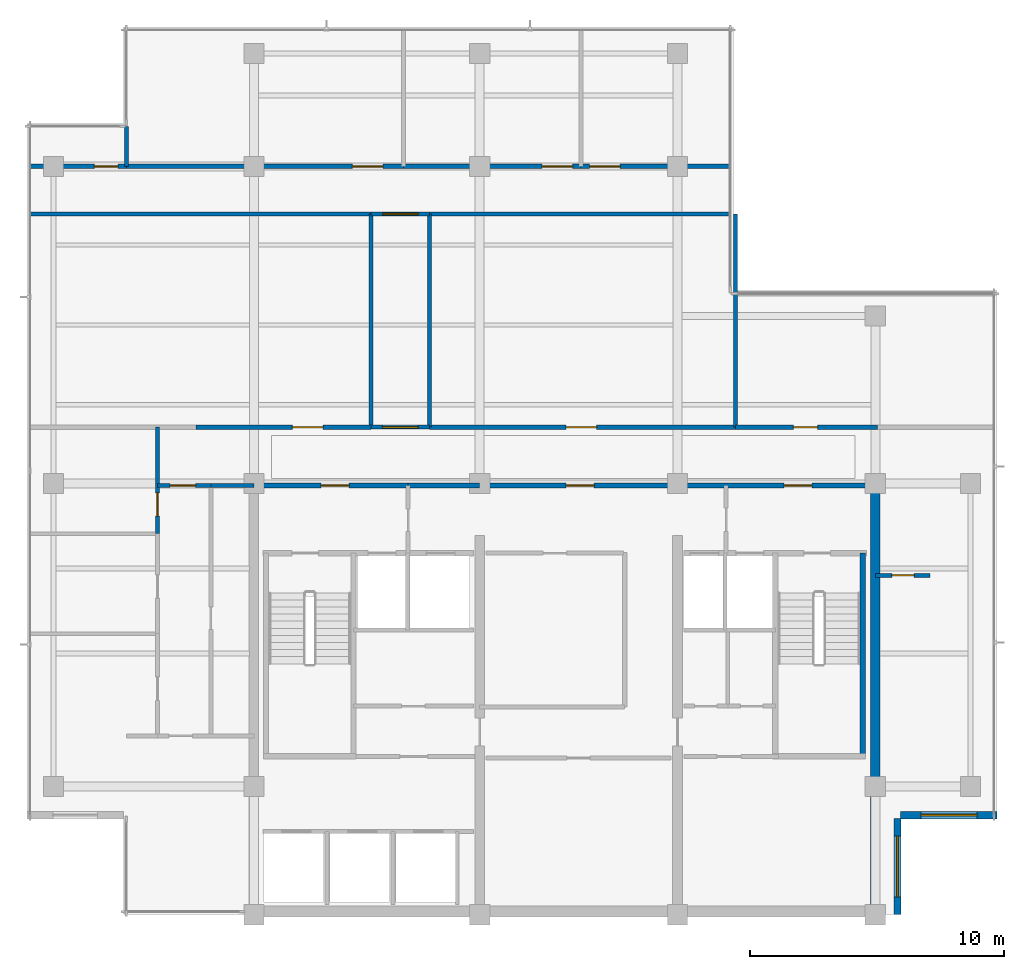
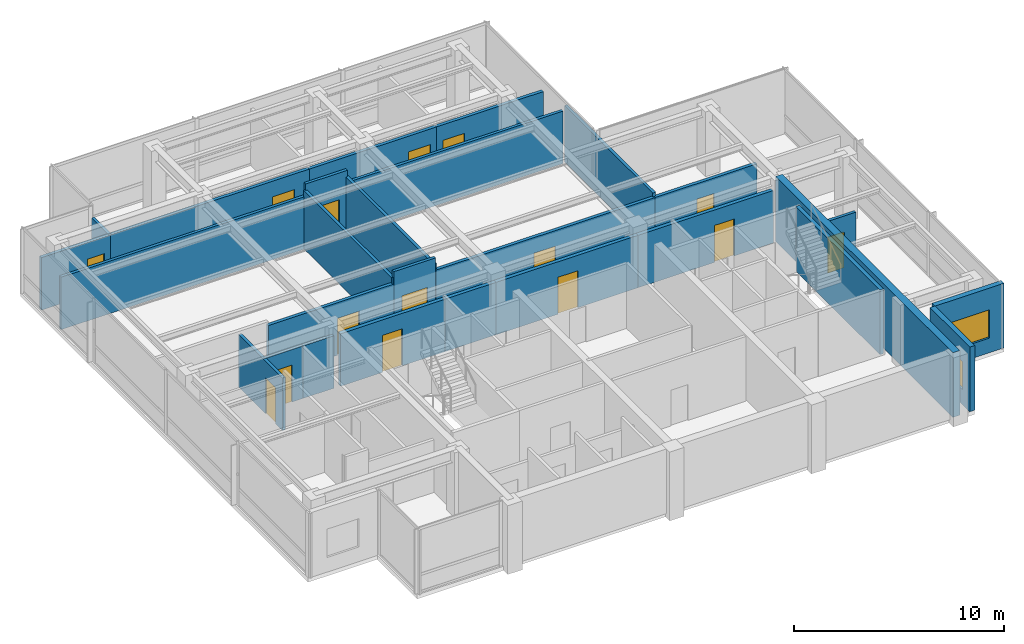
# One storey, part 7 of 11: 27 walls, 15 doors, 2 windows, 17 openings.
"""IFC4 building model written with IfcOpenShell, lengths in metres."""

from ifc_helpers import new_model, si_unit, direction, frame, frame_2d, origin, place, context, subcontext, project, spatial, rectangle, extrude, material, layer, layer_set, type_object, element, fill, save


model = new_model("IFC4")

# Units and contexts
model_context = context("Model", 3, precision=1e-05, world=origin(), true_north=direction((0.0, 1.0)))
body_context = subcontext(model_context, "Body", "Model", "MODEL_VIEW")
ifc_project = project(units=[si_unit("LENGTHUNIT", "METRE"), si_unit("AREAUNIT", "SQUARE_METRE"), si_unit("VOLUMEUNIT", "CUBIC_METRE"), si_unit("PLANEANGLEUNIT", "RADIAN"), si_unit("MASSUNIT", "GRAM", prefix="KILO")], contexts=[model_context])

# Site, building, storey
site_placement = place(None, origin())
site = spatial("IfcSite", under=ifc_project, at=site_placement, CompositionType="ELEMENT")
building_placement = place(site_placement, origin())
building = spatial("IfcBuilding", under=site, at=building_placement, Name="Qalmaran Belvedere Hotel", CompositionType="ELEMENT")
storey_placement = place(building_placement, frame((0.0, 0.0, 289.89990234375)))
storey = spatial("IfcBuildingStorey", under=building, at=storey_placement, Name="L75", CompositionType="ELEMENT", Elevation=289.89990234375)

# Wall
ifc_material_1 = material(Name="Concrete C50/60", Category="concrete")
ifc_layer_1 = layer(ifc_material_1, 0.3798828125, Name="Concrete C50/60")
ifc_layer_set_1 = layer_set([ifc_layer_1], Name="Concrete C50/60")
wall_type_1 = type_object("IfcWallType", Name="WL-CORE-380-C50", PredefinedType="SHEAR", material=ifc_layer_set_1)
wall_1_placement = place(storey_placement, frame((44.800048828125, 3.5, 0.0), z_axis=(0.0, 0.0, 1.0), x_axis=(0.0, 1.0, 0.0)))
element("IfcWall", 1, at=wall_1_placement, inside=storey, type_object=wall_type_1, Name="L75 East Core Shear Wall", PredefinedType="SHEAR", context=body_context, shape_type="SweptSolid", body=[
    extrude(rectangle(XDim=16.89990234375, YDim=0.3798828125, at=frame_2d((8.449951171875, 0.0))), origin(), (0.0, 0.0, 1.0), 3.760009765625),
])

# Wall, opening, window
ifc_material_2 = material(Name="Anodised Bronze Cladding")
ifc_layer_2 = layer(ifc_material_2, 0.280029296875, Name="Anodised Bronze Cladding")
ifc_layer_set_2 = layer_set([ifc_layer_2], Name="Anodised Bronze Cladding")
wall_type_2 = type_object("IfcWallType", Name="WL-EXT-BRNZ-280", PredefinedType="SOLIDWALL", material=ifc_layer_set_2)
wall_2_placement = place(storey_placement, frame((45.679931640625, 3.5, 0.0), z_axis=(0.0, 0.0, 1.0), x_axis=(0.0, 1.0, 0.0)))
wall_2 = element("IfcWall", 2, at=wall_2_placement, inside=storey, type_object=wall_type_2, Name="L75 Corner Notch Wall 1", PredefinedType="SOLIDWALL", context=body_context, shape_type="SweptSolid", body=[
    extrude(rectangle(XDim=3.800048828125, YDim=0.280029296875, at=frame_2d((1.89990234375, 0.0))), origin(), (0.0, 0.0, 1.0), 3.760009765625),
])
opening_1_placement = place(wall_2_placement, frame((0.699951171875, 0.0, 0.85009765625)))
opening_1 = element("IfcOpeningElement", 3, at=opening_1_placement, cuts=wall_2, Name="Opening W-N24", PredefinedType="OPENING", context=body_context, shape_type="SweptSolid", body=[
    extrude(rectangle(XDim=2.39990234375, YDim=1.64990234375, at=frame_2d((1.199951171875, 0.824951171875))), frame((0.0, 0.14990234375, 0.0), z_axis=(0.0, -1.0, 0.0), x_axis=(1.0, 0.0, 0.0)), (0.0, 0.0, 1.0), 0.300048828125),
])
ifc_material_3 = material(Name="Solar-Control Double Glazing", Category="glass")
window_type_1 = type_object("IfcWindowType", Name="WN-NTC-2400X1650", PartitioningType="SINGLE_PANEL", PredefinedType="WINDOW", material=ifc_material_3)
window_1_placement = place(opening_1_placement, origin())
window_1 = element("IfcWindow", 4, at=window_1_placement, inside=storey, type_object=window_type_1, Name="L75 Corner Notch Window 1", OverallHeight=1.64990234375, OverallWidth=2.39990234375, PartitioningType="SINGLE_PANEL", PredefinedType="WINDOW", context=body_context, shape_type="SweptSolid", body=[
    extrude(rectangle(XDim=2.39990234375, YDim=1.64990234375, at=frame_2d((1.199951171875, 0.824951171875))), frame((0.0, 0.030029296875, 0.0), z_axis=(0.0, -1.0, 0.0), x_axis=(1.0, 0.0, 0.0)), (0.0, 0.0, 1.0), 0.06005859375),
])
fill(opening_1, window_1)

wall_3_placement = place(storey_placement, frame((45.800048828125, 7.419921875, 0.0), z_axis=(0.0, 0.0, 1.0), x_axis=(1.0, 0.0, 0.0)))
wall_3 = element("IfcWall", 5, at=wall_3_placement, inside=storey, type_object=wall_type_2, Name="L75 Corner Notch Wall 2", PredefinedType="SOLIDWALL", context=body_context, shape_type="SweptSolid", body=[
    extrude(rectangle(XDim=3.800048828125, YDim=0.280029296875, at=frame_2d((1.89990234375, 0.0))), origin(), (0.0, 0.0, 1.0), 3.760009765625),
])
opening_2_placement = place(wall_3_placement, frame((0.800048828125, 0.0, 0.85009765625)))
opening_2 = element("IfcOpeningElement", 6, at=opening_2_placement, cuts=wall_3, Name="Opening W-N22", PredefinedType="OPENING", context=body_context, shape_type="SweptSolid", body=[
    extrude(rectangle(XDim=2.199951171875, YDim=1.64990234375, at=frame_2d((1.10009765625, 0.824951171875))), frame((0.0, 0.14990234375, 0.0), z_axis=(0.0, -1.0, 0.0), x_axis=(1.0, 0.0, 0.0)), (0.0, 0.0, 1.0), 0.300048828125),
])
window_type_2 = type_object("IfcWindowType", Name="WN-NTC-2200X1650", PartitioningType="SINGLE_PANEL", PredefinedType="WINDOW", material=ifc_material_3)
window_2_placement = place(opening_2_placement, origin())
window_2 = element("IfcWindow", 7, at=window_2_placement, inside=storey, type_object=window_type_2, Name="L75 Corner Notch Window 2", OverallHeight=1.64990234375, OverallWidth=2.199951171875, PartitioningType="SINGLE_PANEL", PredefinedType="WINDOW", context=body_context, shape_type="SweptSolid", body=[
    extrude(rectangle(XDim=2.199951171875, YDim=1.64990234375, at=frame_2d((1.10009765625, 0.824951171875))), frame((0.0, 0.030029296875, 0.0), z_axis=(0.0, -1.0, 0.0), x_axis=(1.0, 0.0, 0.0)), (0.0, 0.0, 1.0), 0.06005859375),
])
fill(opening_2, window_2)

# Wall, opening, door
ifc_material_4 = material(Name="Gypsum Stud Partition")
ifc_layer_3 = layer(ifc_material_4, 0.159912109375, Name="Gypsum Stud Partition")
ifc_layer_set_3 = layer_set([ifc_layer_3], Name="Gypsum Stud Partition")
wall_type_3 = type_object("IfcWallType", Name="WL-INT-160-EI60", PredefinedType="PARTITIONING", material=ifc_layer_set_3)
wall_4_placement = place(storey_placement, frame((16.5, 18.52001953125, 0.0), z_axis=(0.0, 0.0, 1.0), x_axis=(0.0, 1.0, 0.0)))
wall_4 = element("IfcWall", 8, at=wall_4_placement, inside=storey, type_object=wall_type_3, Name="L75 Partition WL-L75-WCC3", PredefinedType="PARTITIONING", context=body_context, shape_type="SweptSolid", body=[
    extrude(rectangle(XDim=4.199951171875, YDim=0.159912109375, at=frame_2d((2.10009765625, 0.0))), origin(), (0.0, 0.0, 1.0), 3.050048828125),
])
opening_3_placement = place(wall_4_placement, frame((0.693359375, 0.0, 0.0)))
opening_3 = element("IfcOpeningElement", 9, at=opening_3_placement, cuts=wall_4, Name="Opening FD60S1", PredefinedType="OPENING", context=body_context, shape_type="SweptSolid", body=[
    extrude(rectangle(XDim=0.919921875, YDim=2.080078125, at=frame_2d((0.4599609375, 1.0400390625))), frame((0.0, 0.08984375, 0.0), z_axis=(0.0, -1.0, 0.0), x_axis=(1.0, 0.0, 0.0)), (0.0, 0.0, 1.0), 0.179931640625),
])
ifc_material_5 = material(Name="Engineered Oak Veneer")
door_type_1 = type_object("IfcDoorType", Name="DR-FD60S-920X2080", OperationType="NOTDEFINED", PredefinedType="DOOR", material=ifc_material_5)
door_1_placement = place(opening_3_placement, origin())
door_1 = element("IfcDoor", 10, at=door_1_placement, inside=storey, type_object=door_type_1, Name="L75 Accessible WC Door", OperationType="SINGLE_SWING_LEFT", OverallHeight=2.080078125, OverallWidth=0.919921875, PredefinedType="DOOR", context=body_context, shape_type="SweptSolid", body=[
    extrude(rectangle(XDim=0.919921875, YDim=2.080078125, at=frame_2d((0.4599609375, 1.0400390625))), frame((0.0, 0.02490234375, 0.0), z_axis=(0.0, -1.0, 0.0), x_axis=(1.0, 0.0, 0.0)), (0.0, 0.0, 1.0), 0.050048828125),
])
fill(opening_3, door_1)

# Wall
wall_5_placement = place(storey_placement, frame((18.60009765625, 20.419921875, 0.0), z_axis=(0.0, 0.0, 1.0), x_axis=(1.0, 0.0, 0.0)))
element("IfcWall", 11, at=wall_5_placement, inside=storey, type_object=wall_type_3, Name="L75 Partition WL-L75-WCCEN", PredefinedType="PARTITIONING", context=body_context, shape_type="SweptSolid", body=[
    extrude(rectangle(XDim=1.699951171875, YDim=0.159912109375, at=frame_2d((0.85009765625, 0.0))), origin(), (0.0, 0.0, 1.0), 3.050048828125),
])

# Wall, opening, door
wall_6_placement = place(storey_placement, frame((16.5, 20.419921875, 0.0), z_axis=(0.0, 0.0, 1.0), x_axis=(1.0, 0.0, 0.0)))
wall_6 = element("IfcWall", 12, at=wall_6_placement, inside=storey, type_object=wall_type_3, Name="L75 Partition WL-L75-XCRW", PredefinedType="PARTITIONING", context=body_context, shape_type="SweptSolid", body=[
    extrude(rectangle(XDim=2.10009765625, YDim=0.159912109375, at=frame_2d((1.050048828125, 0.0))), origin(), (0.0, 0.0, 1.0), 3.050048828125),
])
opening_4_placement = place(wall_6_placement, frame((0.5, 0.0, 0.0)))
opening_4 = element("IfcOpeningElement", 13, at=opening_4_placement, cuts=wall_6, Name="Opening FD90B", PredefinedType="OPENING", context=body_context, shape_type="SweptSolid", body=[
    extrude(rectangle(XDim=1.0, YDim=2.14990234375, at=frame_2d((0.5, 1.074951171875))), frame((0.0, 0.08984375, 0.0), z_axis=(0.0, -1.0, 0.0), x_axis=(1.0, 0.0, 0.0)), (0.0, 0.0, 1.0), 0.179931640625),
])
ifc_material_6 = material(Name="Steel S355JR", Category="steel")
door_type_2 = type_object("IfcDoorType", Name="DR-FD90B-1000X2150", OperationType="NOTDEFINED", PredefinedType="DOOR", material=ifc_material_6)
door_2_placement = place(opening_4_placement, origin())
door_2 = element("IfcDoor", 14, at=door_2_placement, inside=storey, type_object=door_type_2, Name="L75 Restroom Corridor Door", OperationType="SINGLE_SWING_LEFT", OverallHeight=2.14990234375, OverallWidth=1.0, PredefinedType="DOOR", context=body_context, shape_type="SweptSolid", body=[
    extrude(rectangle(XDim=1.0, YDim=2.14990234375, at=frame_2d((0.5, 1.074951171875))), frame((0.0, 0.02490234375, 0.0), z_axis=(0.0, -1.0, 0.0), x_axis=(1.0, 0.0, 0.0)), (0.0, 0.0, 1.0), 0.050048828125),
])
fill(opening_4, door_2)

wall_7_placement = place(storey_placement, frame((44.800048828125, 16.8798828125, 0.0), z_axis=(0.0, 0.0, 1.0), x_axis=(1.0, 0.0, 0.0)))
wall_7 = element("IfcWall", 15, at=wall_7_placement, inside=storey, type_object=wall_type_3, Name="L75 Partition WL-L75-ECE", PredefinedType="PARTITIONING", context=body_context, shape_type="SweptSolid", body=[
    extrude(rectangle(XDim=2.14990234375, YDim=0.159912109375, at=frame_2d((1.074951171875, 0.0))), origin(), (0.0, 0.0, 1.0), 3.050048828125),
])
opening_5_placement = place(wall_7_placement, frame((1.52978515625, 0.0, 0.0), z_axis=(0.0, 0.0, 1.0), x_axis=(-1.0, 0.0, 0.0)))
opening_5 = element("IfcOpeningElement", 16, at=opening_5_placement, cuts=wall_7, Name="Opening FD60B", PredefinedType="OPENING", context=body_context, shape_type="SweptSolid", body=[
    extrude(rectangle(XDim=0.8798828125, YDim=2.080078125, at=frame_2d((0.43994140625, 1.0400390625))), frame((0.0, 0.08984375, 0.0), z_axis=(0.0, -1.0, 0.0), x_axis=(1.0, 0.0, 0.0)), (0.0, 0.0, 1.0), 0.179931640625),
])
door_type_3 = type_object("IfcDoorType", Name="DR-FD60B-880X2080", OperationType="NOTDEFINED", PredefinedType="DOOR", material=ifc_material_6)
door_3_placement = place(opening_5_placement, origin())
door_3 = element("IfcDoor", 17, at=door_3_placement, inside=storey, type_object=door_type_3, Name="L75 Observation Gift Boutique Door", OperationType="SINGLE_SWING_RIGHT", OverallHeight=2.080078125, OverallWidth=0.8798828125, PredefinedType="DOOR", context=body_context, shape_type="SweptSolid", body=[
    extrude(rectangle(XDim=0.8798828125, YDim=2.080078125, at=frame_2d((0.43994140625, 1.0400390625))), frame((0.0, 0.02490234375, 0.0), z_axis=(0.0, -1.0, 0.0), x_axis=(1.0, 0.0, 0.0)), (0.0, 0.0, 1.0), 0.050048828125),
])
fill(opening_5, door_3)

# Walls
wall_8_placement = place(storey_placement, frame((15.27001953125, 33.0, 0.0), z_axis=(0.0, 0.0, 1.0), x_axis=(0.0, 1.0, 0.0)))
element("IfcWall", 18, at=wall_8_placement, inside=storey, type_object=wall_type_3, Name="L75 Partition WL-L75-VNWE", PredefinedType="PARTITIONING", context=body_context, shape_type="SweptSolid", body=[
    extrude(rectangle(XDim=1.580078125, YDim=0.159912109375, at=frame_2d((0.7900390625, 0.0))), origin(), (0.0, 0.0, 1.0), 3.050048828125),
])
for number, where, z_axis, x_axis, name in (
    (19, (24.919921875, 22.719970703125, 0.0), (0.0, 0.0, 1.0), (0.0, 1.0, 0.0), "L75 Partition WL-L75-NPW"),
    (20, (27.219970703125, 22.719970703125, 0.0), (0.0, 0.0, 1.0), (0.0, 1.0, 0.0), "L75 Partition WL-L75-NPE"),
):
    element("IfcWall", number, at=place(storey_placement, frame(where, z_axis=z_axis, x_axis=x_axis)), inside=storey, type_object=wall_type_3, Name=name, PredefinedType="PARTITIONING", context=body_context, shape_type="SweptSolid", body=[
        extrude(rectangle(XDim=8.400146484375, YDim=0.159912109375, at=frame_2d((4.2001953125, 0.0))), origin(), (0.0, 0.0, 1.0), 3.38720703125),
    ])

# Wall, opening, door
wall_9_placement = place(storey_placement, frame((24.919921875, 22.719970703125, 0.0), z_axis=(0.0, 0.0, 1.0), x_axis=(1.0, 0.0, 0.0)))
wall_9 = element("IfcWall", 21, at=wall_9_placement, inside=storey, type_object=wall_type_3, Name="L75 Partition WL-L75-XNPS", PredefinedType="PARTITIONING", context=body_context, shape_type="SweptSolid", body=[
    extrude(rectangle(XDim=2.300048828125, YDim=0.159912109375, at=frame_2d((1.14990234375, 0.0))), origin(), (0.0, 0.0, 1.0), 3.760009765625),
])
opening_6_placement = place(wall_9_placement, frame((0.449951171875, 0.0, 0.0)))
opening_6 = element("IfcOpeningElement", 22, at=opening_6_placement, cuts=wall_9, Name="Opening FD90D", PredefinedType="OPENING", context=body_context, shape_type="SweptSolid", body=[
    extrude(rectangle(XDim=1.39990234375, YDim=2.199951171875, at=frame_2d((0.699951171875, 1.10009765625))), frame((0.0, 0.08984375, 0.0), z_axis=(0.0, -1.0, 0.0), x_axis=(1.0, 0.0, 0.0)), (0.0, 0.0, 1.0), 0.179931640625),
])
door_type_4 = type_object("IfcDoorType", Name="DR-FD90D-1400X2200", OperationType="NOTDEFINED", PredefinedType="DOOR", material=ifc_material_6)
door_4_placement = place(opening_6_placement, origin())
door_4 = element("IfcDoor", 23, at=door_4_placement, inside=storey, type_object=door_type_4, Name="L75 Promenade South Door", OperationType="DOUBLE_DOOR_SINGLE_SWING", OverallHeight=2.199951171875, OverallWidth=1.39990234375, PredefinedType="DOOR", context=body_context, shape_type="SweptSolid", body=[
    extrude(rectangle(XDim=1.39990234375, YDim=2.199951171875, at=frame_2d((0.699951171875, 1.10009765625))), frame((0.0, 0.02490234375, 0.0), z_axis=(0.0, -1.0, 0.0), x_axis=(1.0, 0.0, 0.0)), (0.0, 0.0, 1.0), 0.050048828125),
])
fill(opening_6, door_4)

wall_10_placement = place(storey_placement, frame((24.919921875, 31.1201171875, 0.0), z_axis=(0.0, 0.0, 1.0), x_axis=(1.0, 0.0, 0.0)))
wall_10 = element("IfcWall", 24, at=wall_10_placement, inside=storey, type_object=wall_type_3, Name="L75 Partition WL-L75-XNPN", PredefinedType="PARTITIONING", context=body_context, shape_type="SweptSolid", body=[
    extrude(rectangle(XDim=2.300048828125, YDim=0.159912109375, at=frame_2d((1.14990234375, 0.0))), origin(), (0.0, 0.0, 1.0), 3.760009765625),
])
opening_7_placement = place(wall_10_placement, frame((0.449951171875, 0.0, 0.0)))
opening_7 = element("IfcOpeningElement", 25, at=opening_7_placement, cuts=wall_10, Name="Opening FD90D", PredefinedType="OPENING", context=body_context, shape_type="SweptSolid", body=[
    extrude(rectangle(XDim=1.39990234375, YDim=2.199951171875, at=frame_2d((0.699951171875, 1.10009765625))), frame((0.0, 0.08984375, 0.0), z_axis=(0.0, -1.0, 0.0), x_axis=(1.0, 0.0, 0.0)), (0.0, 0.0, 1.0), 0.179931640625),
])
door_5_placement = place(opening_7_placement, origin())
door_5 = element("IfcDoor", 26, at=door_5_placement, inside=storey, type_object=door_type_4, Name="L75 Promenade North Door", OperationType="DOUBLE_DOOR_SINGLE_SWING", OverallHeight=2.199951171875, OverallWidth=1.39990234375, PredefinedType="DOOR", context=body_context, shape_type="SweptSolid", body=[
    extrude(rectangle(XDim=1.39990234375, YDim=2.199951171875, at=frame_2d((0.699951171875, 1.10009765625))), frame((0.0, 0.02490234375, 0.0), z_axis=(0.0, -1.0, 0.0), x_axis=(1.0, 0.0, 0.0)), (0.0, 0.0, 1.0), 0.050048828125),
])
fill(opening_7, door_5)

# Walls
wall_11_placement = place(storey_placement, frame((11.469970703125, 31.1201171875, 0.0), z_axis=(0.0, 0.0, 1.0), x_axis=(1.0, 0.0, 0.0)))
element("IfcWall", 27, at=wall_11_placement, inside=storey, type_object=wall_type_3, Name="L75 Partition WL-L75-NGS1", PredefinedType="PARTITIONING", context=body_context, shape_type="SweptSolid", body=[
    extrude(rectangle(XDim=13.449951171875, YDim=0.159912109375, at=frame_2d((6.72509765625, 0.0))), origin(), (0.0, 0.0, 1.0), 3.050048828125),
])
wall_12_placement = place(storey_placement, frame((27.219970703125, 31.1201171875, 0.0), z_axis=(0.0, 0.0, 1.0), x_axis=(1.0, 0.0, 0.0)))
element("IfcWall", 28, at=wall_12_placement, inside=storey, type_object=wall_type_3, Name="L75 Partition WL-L75-NGS2", PredefinedType="PARTITIONING", context=body_context, shape_type="SweptSolid", body=[
    extrude(rectangle(XDim=11.860107421875, YDim=0.159912109375, at=frame_2d((5.93017578125, 0.0))), origin(), (0.0, 0.0, 1.0), 3.050048828125),
])
wall_13_placement = place(storey_placement, frame((39.280029296875, 22.719970703125, 0.0), z_axis=(0.0, 0.0, 1.0), x_axis=(0.0, 1.0, 0.0)))
element("IfcWall", 29, at=wall_13_placement, inside=storey, type_object=wall_type_3, Name="L75 Partition WL-L75-MCV", PredefinedType="PARTITIONING", context=body_context, shape_type="SweptSolid", body=[
    extrude(rectangle(XDim=8.400146484375, YDim=0.159912109375, at=frame_2d((4.2001953125, 0.0))), origin(), (0.0, 0.0, 1.0), 3.281982421875),
])

# Wall, opening, door
ifc_layer_4 = layer(ifc_material_4, 0.179931640625, Name="Gypsum Stud Partition")
ifc_layer_set_4 = layer_set([ifc_layer_4], Name="Gypsum Stud Partition")
wall_type_4 = type_object("IfcWallType", Name="WL-INT-180-EI60", PredefinedType="PARTITIONING", material=ifc_layer_set_4)
wall_14_placement = place(storey_placement, frame((11.469970703125, 33.0, 0.0), z_axis=(0.0, 0.0, 1.0), x_axis=(1.0, 0.0, 0.0)))
wall_14 = element("IfcWall", 30, at=wall_14_placement, inside=storey, type_object=wall_type_4, Name="L75 Partition WL-L75-VNWS", PredefinedType="PARTITIONING", context=body_context, shape_type="SweptSolid", body=[
    extrude(rectangle(XDim=3.800048828125, YDim=0.179931640625, at=frame_2d((1.89990234375, 0.0))), origin(), (0.0, 0.0, 1.0), 3.050048828125),
])
opening_8_placement = place(wall_14_placement, frame((2.543701171875, 0.0, 0.0)))
opening_8 = element("IfcOpeningElement", 31, at=opening_8_placement, cuts=wall_14, Name="Opening FD60S1", PredefinedType="OPENING", context=body_context, shape_type="SweptSolid", body=[
    extrude(rectangle(XDim=0.919921875, YDim=2.080078125, at=frame_2d((0.4599609375, 1.0400390625))), frame((0.0, 0.10009765625, 0.0), z_axis=(0.0, -1.0, 0.0), x_axis=(1.0, 0.0, 0.0)), (0.0, 0.0, 1.0), 0.199951171875),
])
door_6_placement = place(opening_8_placement, origin())
door_6 = element("IfcDoor", 32, at=door_6_placement, inside=storey, type_object=door_type_1, Name="L75 NW Sky Salon Door", OperationType="SINGLE_SWING_LEFT", OverallHeight=2.080078125, OverallWidth=0.919921875, PredefinedType="DOOR", context=body_context, shape_type="SweptSolid", body=[
    extrude(rectangle(XDim=0.919921875, YDim=2.080078125, at=frame_2d((0.4599609375, 1.0400390625))), frame((0.0, 0.02490234375, 0.0), z_axis=(0.0, -1.0, 0.0), x_axis=(1.0, 0.0, 0.0)), (0.0, 0.0, 1.0), 0.050048828125),
])
fill(opening_8, door_6)

wall_15_placement = place(storey_placement, frame((18.02001953125, 22.719970703125, 0.0), z_axis=(0.0, 0.0, 1.0), x_axis=(1.0, 0.0, 0.0)))
wall_15 = element("IfcWall", 33, at=wall_15_placement, inside=storey, type_object=wall_type_4, Name="L75 Partition WL-L75-MCS1", PredefinedType="PARTITIONING", context=body_context, shape_type="SweptSolid", body=[
    extrude(rectangle(XDim=6.89990234375, YDim=0.179931640625, at=frame_2d((3.449951171875, 0.0))), origin(), (0.0, 0.0, 1.0), 3.050048828125),
])
opening_9_placement = place(wall_15_placement, frame((3.800048828125, 0.0, 0.0)))
opening_9 = element("IfcOpeningElement", 34, at=opening_9_placement, cuts=wall_15, Name="Opening FD60P", PredefinedType="OPENING", context=body_context, shape_type="SweptSolid", body=[
    extrude(rectangle(XDim=1.199951171875, YDim=2.139892578125, at=frame_2d((0.60009765625, 1.06982421875))), frame((0.0, 0.10009765625, 0.0), z_axis=(0.0, -1.0, 0.0), x_axis=(1.0, 0.0, 0.0)), (0.0, 0.0, 1.0), 0.199951171875),
])
door_type_5 = type_object("IfcDoorType", Name="DR-FD60P-1200X2140", OperationType="NOTDEFINED", PredefinedType="DOOR", material=ifc_material_5)
door_7_placement = place(opening_9_placement, origin())
door_7 = element("IfcDoor", 35, at=door_7_placement, inside=storey, type_object=door_type_5, Name="L75 Horizon Exhibition Gallery Door", OperationType="DOUBLE_DOOR_SINGLE_SWING", OverallHeight=2.139892578125, OverallWidth=1.199951171875, PredefinedType="DOOR", context=body_context, shape_type="SweptSolid", body=[
    extrude(rectangle(XDim=1.199951171875, YDim=2.139892578125, at=frame_2d((0.60009765625, 1.06982421875))), frame((0.0, 0.02490234375, 0.0), z_axis=(0.0, -1.0, 0.0), x_axis=(1.0, 0.0, 0.0)), (0.0, 0.0, 1.0), 0.050048828125),
])
fill(opening_9, door_7)

wall_16_placement = place(storey_placement, frame((27.219970703125, 22.719970703125, 0.0), z_axis=(0.0, 0.0, 1.0), x_axis=(1.0, 0.0, 0.0)))
wall_16 = element("IfcWall", 36, at=wall_16_placement, inside=storey, type_object=wall_type_4, Name="L75 Partition WL-L75-MCS2A", PredefinedType="PARTITIONING", context=body_context, shape_type="SweptSolid", body=[
    extrude(rectangle(XDim=12.06005859375, YDim=0.179931640625, at=frame_2d((6.030029296875, 0.0))), origin(), (0.0, 0.0, 1.0), 3.050048828125),
])
opening_10_placement = place(wall_16_placement, frame((5.389892578125, 0.0, 0.0)))
opening_10 = element("IfcOpeningElement", 37, at=opening_10_placement, cuts=wall_16, Name="Opening FD60P", PredefinedType="OPENING", context=body_context, shape_type="SweptSolid", body=[
    extrude(rectangle(XDim=1.199951171875, YDim=2.139892578125, at=frame_2d((0.60009765625, 1.06982421875))), frame((0.0, 0.10009765625, 0.0), z_axis=(0.0, -1.0, 0.0), x_axis=(1.0, 0.0, 0.0)), (0.0, 0.0, 1.0), 0.199951171875),
])
door_8_placement = place(opening_10_placement, origin())
door_8 = element("IfcDoor", 38, at=door_8_placement, inside=storey, type_object=door_type_5, Name="L75 Ticket and Concierge Hall Door", OperationType="DOUBLE_DOOR_SINGLE_SWING", OverallHeight=2.139892578125, OverallWidth=1.199951171875, PredefinedType="DOOR", context=body_context, shape_type="SweptSolid", body=[
    extrude(rectangle(XDim=1.199951171875, YDim=2.139892578125, at=frame_2d((0.60009765625, 1.06982421875))), frame((0.0, 0.02490234375, 0.0), z_axis=(0.0, -1.0, 0.0), x_axis=(1.0, 0.0, 0.0)), (0.0, 0.0, 1.0), 0.050048828125),
])
fill(opening_10, door_8)

wall_17_placement = place(storey_placement, frame((39.280029296875, 22.719970703125, 0.0), z_axis=(0.0, 0.0, 1.0), x_axis=(1.0, 0.0, 0.0)))
wall_17 = element("IfcWall", 39, at=wall_17_placement, inside=storey, type_object=wall_type_4, Name="L75 Partition WL-L75-MCS2B", PredefinedType="PARTITIONING", context=body_context, shape_type="SweptSolid", body=[
    extrude(rectangle(XDim=5.599853515625, YDim=0.179931640625, at=frame_2d((2.7998046875, 0.0))), origin(), (0.0, 0.0, 1.0), 3.050048828125),
])
opening_11_placement = place(wall_17_placement, frame((2.2900390625, 0.0, 0.0)))
opening_11 = element("IfcOpeningElement", 40, at=opening_11_placement, cuts=wall_17, Name="Opening FD60", PredefinedType="OPENING", context=body_context, shape_type="SweptSolid", body=[
    extrude(rectangle(XDim=0.949951171875, YDim=2.14990234375, at=frame_2d((0.47509765625, 1.074951171875))), frame((0.0, 0.10009765625, 0.0), z_axis=(0.0, -1.0, 0.0), x_axis=(1.0, 0.0, 0.0)), (0.0, 0.0, 1.0), 0.199951171875),
])
door_type_6 = type_object("IfcDoorType", Name="DR-FD60-950X2150", OperationType="NOTDEFINED", PredefinedType="DOOR", material=ifc_material_5)
door_9_placement = place(opening_11_placement, origin())
door_9 = element("IfcDoor", 41, at=door_9_placement, inside=storey, type_object=door_type_6, Name="L75 East Lounge Door", OperationType="SINGLE_SWING_RIGHT", OverallHeight=2.14990234375, OverallWidth=0.949951171875, PredefinedType="DOOR", context=body_context, shape_type="SweptSolid", body=[
    extrude(rectangle(XDim=0.949951171875, YDim=2.14990234375, at=frame_2d((0.47509765625, 1.074951171875))), frame((0.0, 0.02490234375, 0.0), z_axis=(0.0, -1.0, 0.0), x_axis=(1.0, 0.0, 0.0)), (0.0, 0.0, 1.0), 0.050048828125),
])
fill(opening_11, door_9)

wall_18_placement = place(storey_placement, frame((15.27001953125, 33.0, 0.0), z_axis=(0.0, 0.0, 1.0), x_axis=(1.0, 0.0, 0.0)))
wall_18 = element("IfcWall", 42, at=wall_18_placement, inside=storey, type_object=wall_type_4, Name="L75 Partition WL-L75-NF33D1", PredefinedType="PARTITIONING", context=body_context, shape_type="SweptSolid", body=[
    extrude(rectangle(XDim=10.929931640625, YDim=0.179931640625, at=frame_2d((5.46484375, 0.0))), origin(), (0.0, 0.0, 1.0), 3.050048828125),
])
opening_12_placement = place(wall_18_placement, frame((8.91455078125, 0.0, 0.0)))
opening_12 = element("IfcOpeningElement", 43, at=opening_12_placement, cuts=wall_18, Name="Opening FD60P", PredefinedType="OPENING", context=body_context, shape_type="SweptSolid", body=[
    extrude(rectangle(XDim=1.199951171875, YDim=2.139892578125, at=frame_2d((0.60009765625, 1.06982421875))), frame((0.0, 0.10009765625, 0.0), z_axis=(0.0, -1.0, 0.0), x_axis=(1.0, 0.0, 0.0)), (0.0, 0.0, 1.0), 0.199951171875),
])
door_10_placement = place(opening_12_placement, origin())
door_10 = element("IfcDoor", 44, at=door_10_placement, inside=storey, type_object=door_type_5, Name="L75 Public Observation Belvedere Gallery Door", OperationType="DOUBLE_DOOR_SINGLE_SWING", OverallHeight=2.139892578125, OverallWidth=1.199951171875, PredefinedType="DOOR", context=body_context, shape_type="SweptSolid", body=[
    extrude(rectangle(XDim=1.199951171875, YDim=2.139892578125, at=frame_2d((0.60009765625, 1.06982421875))), frame((0.0, 0.02490234375, 0.0), z_axis=(0.0, -1.0, 0.0), x_axis=(1.0, 0.0, 0.0)), (0.0, 0.0, 1.0), 0.050048828125),
])
fill(opening_12, door_10)

wall_19_placement = place(storey_placement, frame((26.199951171875, 33.0, 0.0), z_axis=(0.0, 0.0, 1.0), x_axis=(1.0, 0.0, 0.0)))
wall_19 = element("IfcWall", 45, at=wall_19_placement, inside=storey, type_object=wall_type_4, Name="L75 Partition WL-L75-NF33D2", PredefinedType="PARTITIONING", context=body_context, shape_type="SweptSolid", body=[
    extrude(rectangle(XDim=7.0, YDim=0.179931640625, at=frame_2d((3.5, 0.0))), origin(), (0.0, 0.0, 1.0), 3.050048828125),
])
opening_13_placement = place(wall_19_placement, frame((5.4609375, 0.0, 0.0)))
opening_13 = element("IfcOpeningElement", 46, at=opening_13_placement, cuts=wall_19, Name="Opening FD60P", PredefinedType="OPENING", context=body_context, shape_type="SweptSolid", body=[
    extrude(rectangle(XDim=1.199951171875, YDim=2.139892578125, at=frame_2d((0.60009765625, 1.06982421875))), frame((0.0, 0.10009765625, 0.0), z_axis=(0.0, -1.0, 0.0), x_axis=(1.0, 0.0, 0.0)), (0.0, 0.0, 1.0), 0.199951171875),
])
door_11_placement = place(opening_13_placement, origin())
door_11 = element("IfcDoor", 47, at=door_11_placement, inside=storey, type_object=door_type_5, Name="L75 Sky Lookout Cafe Door", OperationType="DOUBLE_DOOR_SINGLE_SWING", OverallHeight=2.139892578125, OverallWidth=1.199951171875, PredefinedType="DOOR", context=body_context, shape_type="SweptSolid", body=[
    extrude(rectangle(XDim=1.199951171875, YDim=2.139892578125, at=frame_2d((0.60009765625, 1.06982421875))), frame((0.0, 0.02490234375, 0.0), z_axis=(0.0, -1.0, 0.0), x_axis=(1.0, 0.0, 0.0)), (0.0, 0.0, 1.0), 0.050048828125),
])
fill(opening_13, door_11)

wall_20_placement = place(storey_placement, frame((33.199951171875, 33.0, 0.0), z_axis=(0.0, 0.0, 1.0), x_axis=(1.0, 0.0, 0.0)))
wall_20 = element("IfcWall", 48, at=wall_20_placement, inside=storey, type_object=wall_type_4, Name="L75 Partition WL-L75-NF33D3", PredefinedType="PARTITIONING", context=body_context, shape_type="SweptSolid", body=[
    extrude(rectangle(XDim=5.880126953125, YDim=0.179931640625, at=frame_2d((2.93994140625, 0.0))), origin(), (0.0, 0.0, 1.0), 3.050048828125),
])
opening_14_placement = place(wall_20_placement, frame((0.337890625, 0.0, 0.0)))
opening_14 = element("IfcOpeningElement", 49, at=opening_14_placement, cuts=wall_20, Name="Opening FD60P", PredefinedType="OPENING", context=body_context, shape_type="SweptSolid", body=[
    extrude(rectangle(XDim=1.199951171875, YDim=2.139892578125, at=frame_2d((0.60009765625, 1.06982421875))), frame((0.0, 0.10009765625, 0.0), z_axis=(0.0, -1.0, 0.0), x_axis=(1.0, 0.0, 0.0)), (0.0, 0.0, 1.0), 0.199951171875),
])
door_12_placement = place(opening_14_placement, origin())
door_12 = element("IfcDoor", 50, at=door_12_placement, inside=storey, type_object=door_type_5, Name="L75 Riyadh Horizon Gallery Door", OperationType="DOUBLE_DOOR_SINGLE_SWING", OverallHeight=2.139892578125, OverallWidth=1.199951171875, PredefinedType="DOOR", context=body_context, shape_type="SweptSolid", body=[
    extrude(rectangle(XDim=1.199951171875, YDim=2.139892578125, at=frame_2d((0.60009765625, 1.06982421875))), frame((0.0, 0.02490234375, 0.0), z_axis=(0.0, -1.0, 0.0), x_axis=(1.0, 0.0, 0.0)), (0.0, 0.0, 1.0), 0.050048828125),
])
fill(opening_14, door_12)

ifc_material_7 = material(Name="Concrete C30/37 Blockwork", Category="masonry")
ifc_layer_5 = layer(ifc_material_7, 0.199951171875, Name="Concrete C30/37 Blockwork")
ifc_layer_set_5 = layer_set([ifc_layer_5], Name="Concrete C30/37 Blockwork")
wall_type_5 = type_object("IfcWallType", Name="WL-INT-200-EI120", PredefinedType="PARTITIONING", material=ifc_layer_set_5)
wall_21_placement = place(storey_placement, frame((20.64990234375, 20.419921875, 0.0), z_axis=(0.0, 0.0, 1.0), x_axis=(1.0, 0.0, 0.0)))
wall_21 = element("IfcWall", 51, at=wall_21_placement, inside=storey, type_object=wall_type_5, Name="L75 Partition WL-CN1A-L75", PredefinedType="PARTITIONING", context=body_context, shape_type="SweptSolid", body=[
    extrude(rectangle(XDim=5.72998046875, YDim=0.199951171875, at=frame_2d((2.864990234375, 0.0))), origin(), (0.0, 0.0, 1.0), 3.050048828125),
])
opening_15_placement = place(wall_21_placement, frame((2.300048828125, 0.0, 0.0)))
opening_15 = element("IfcOpeningElement", 52, at=opening_15_placement, cuts=wall_21, Name="Opening FD90", PredefinedType="OPENING", context=body_context, shape_type="SweptSolid", body=[
    extrude(rectangle(XDim=1.10009765625, YDim=2.14990234375, at=frame_2d((0.550048828125, 1.074951171875))), frame((0.0, 0.10986328125, 0.0), z_axis=(0.0, -1.0, 0.0), x_axis=(1.0, 0.0, 0.0)), (0.0, 0.0, 1.0), 0.219970703125),
])
door_type_7 = type_object("IfcDoorType", Name="DR-FD90-1100X2150", OperationType="NOTDEFINED", PredefinedType="DOOR", material=ifc_material_6)
door_13_placement = place(opening_15_placement, origin())
door_13 = element("IfcDoor", 53, at=door_13_placement, inside=storey, type_object=door_type_7, Name="L75 FF1 Lobby Corridor Door", OperationType="SINGLE_SWING_RIGHT", OverallHeight=2.14990234375, OverallWidth=1.10009765625, PredefinedType="DOOR", context=body_context, shape_type="SweptSolid", body=[
    extrude(rectangle(XDim=1.10009765625, YDim=2.14990234375, at=frame_2d((0.550048828125, 1.074951171875))), frame((0.0, 0.02490234375, 0.0), z_axis=(0.0, -1.0, 0.0), x_axis=(1.0, 0.0, 0.0)), (0.0, 0.0, 1.0), 0.050048828125),
])
fill(opening_15, door_13)

# Wall
wall_22_placement = place(storey_placement, frame((26.3798828125, 20.419921875, 0.0), z_axis=(0.0, 0.0, 1.0), x_axis=(1.0, 0.0, 0.0)))
element("IfcWall", 54, at=wall_22_placement, inside=storey, type_object=wall_type_5, Name="L75 Partition WL-CN1B-L75", PredefinedType="PARTITIONING", context=body_context, shape_type="SweptSolid", body=[
    extrude(rectangle(XDim=2.820068359375, YDim=0.199951171875, at=frame_2d((1.41015625, 0.0))), origin(), (0.0, 0.0, 1.0), 3.050048828125),
])

# Wall, opening, door
wall_23_placement = place(storey_placement, frame((29.199951171875, 20.419921875, 0.0), z_axis=(0.0, 0.0, 1.0), x_axis=(1.0, 0.0, 0.0)))
wall_23 = element("IfcWall", 55, at=wall_23_placement, inside=storey, type_object=wall_type_5, Name="L75 Partition WL-CN2-L75", PredefinedType="PARTITIONING", context=body_context, shape_type="SweptSolid", body=[
    extrude(rectangle(XDim=7.800048828125, YDim=0.199951171875, at=frame_2d((3.89990234375, 0.0))), origin(), (0.0, 0.0, 1.0), 3.050048828125),
])
opening_16_placement = place(wall_23_placement, frame((3.4091796875, 0.0, 0.0)))
opening_16 = element("IfcOpeningElement", 56, at=opening_16_placement, cuts=wall_23, Name="Opening FD90", PredefinedType="OPENING", context=body_context, shape_type="SweptSolid", body=[
    extrude(rectangle(XDim=1.10009765625, YDim=2.14990234375, at=frame_2d((0.550048828125, 1.074951171875))), frame((0.0, 0.10986328125, 0.0), z_axis=(0.0, -1.0, 0.0), x_axis=(1.0, 0.0, 0.0)), (0.0, 0.0, 1.0), 0.219970703125),
])
door_14_placement = place(opening_16_placement, origin())
door_14 = element("IfcDoor", 57, at=door_14_placement, inside=storey, type_object=door_type_7, Name="L75 Central Lift Lobby Door", OperationType="SINGLE_SWING_LEFT", OverallHeight=2.14990234375, OverallWidth=1.10009765625, PredefinedType="DOOR", context=body_context, shape_type="SweptSolid", body=[
    extrude(rectangle(XDim=1.10009765625, YDim=2.14990234375, at=frame_2d((0.550048828125, 1.074951171875))), frame((0.0, 0.02490234375, 0.0), z_axis=(0.0, -1.0, 0.0), x_axis=(1.0, 0.0, 0.0)), (0.0, 0.0, 1.0), 0.050048828125),
])
fill(opening_16, door_14)

wall_24_placement = place(storey_placement, frame((37.0, 20.419921875, 0.0), z_axis=(0.0, 0.0, 1.0), x_axis=(1.0, 0.0, 0.0)))
wall_24 = element("IfcWall", 58, at=wall_24_placement, inside=storey, type_object=wall_type_5, Name="L75 Partition WL-CN3-L75", PredefinedType="PARTITIONING", context=body_context, shape_type="SweptSolid", body=[
    extrude(rectangle(XDim=7.449951171875, YDim=0.199951171875, at=frame_2d((3.72509765625, 0.0))), origin(), (0.0, 0.0, 1.0), 3.050048828125),
])
opening_17_placement = place(wall_24_placement, frame((4.199951171875, 0.0, 0.0)))
opening_17 = element("IfcOpeningElement", 59, at=opening_17_placement, cuts=wall_24, Name="Opening FD90", PredefinedType="OPENING", context=body_context, shape_type="SweptSolid", body=[
    extrude(rectangle(XDim=1.10009765625, YDim=2.14990234375, at=frame_2d((0.550048828125, 1.074951171875))), frame((0.0, 0.10986328125, 0.0), z_axis=(0.0, -1.0, 0.0), x_axis=(1.0, 0.0, 0.0)), (0.0, 0.0, 1.0), 0.219970703125),
])
door_15_placement = place(opening_17_placement, origin())
door_15 = element("IfcDoor", 60, at=door_15_placement, inside=storey, type_object=door_type_7, Name="L75 FF2 Lobby Corridor Door", OperationType="SINGLE_SWING_RIGHT", OverallHeight=2.14990234375, OverallWidth=1.10009765625, PredefinedType="DOOR", context=body_context, shape_type="SweptSolid", body=[
    extrude(rectangle(XDim=1.10009765625, YDim=2.14990234375, at=frame_2d((0.550048828125, 1.074951171875))), frame((0.0, 0.02490234375, 0.0), z_axis=(0.0, -1.0, 0.0), x_axis=(1.0, 0.0, 0.0)), (0.0, 0.0, 1.0), 0.050048828125),
])
fill(opening_17, door_15)

# Wall
ifc_layer_6 = layer(ifc_material_1, 0.2099609375, Name="Concrete C50/60")
ifc_layer_set_6 = layer_set([ifc_layer_6], Name="Concrete C50/60")
wall_type_6 = type_object("IfcWallType", Name="WL-STAIR-210-C50", PredefinedType="SHEAR", material=ifc_layer_set_6)
wall_25_placement = place(storey_placement, frame((44.304931640625, 9.7451171875, 0.0), z_axis=(0.0, 0.0, 1.0), x_axis=(0.0, 1.0, 0.0)))
element("IfcWall", 61, at=wall_25_placement, inside=storey, type_object=wall_type_6, Name="L75 Stair ST-2 East Bearing Wall", PredefinedType="SHEAR", context=body_context, shape_type="SweptSolid", body=[
    extrude(rectangle(XDim=8.009765625, YDim=0.2099609375, at=frame_2d((4.0048828125, 0.0))), origin(), (0.0, 0.0, 1.0), 3.760009765625),
])

save(model, "model.ifc")
